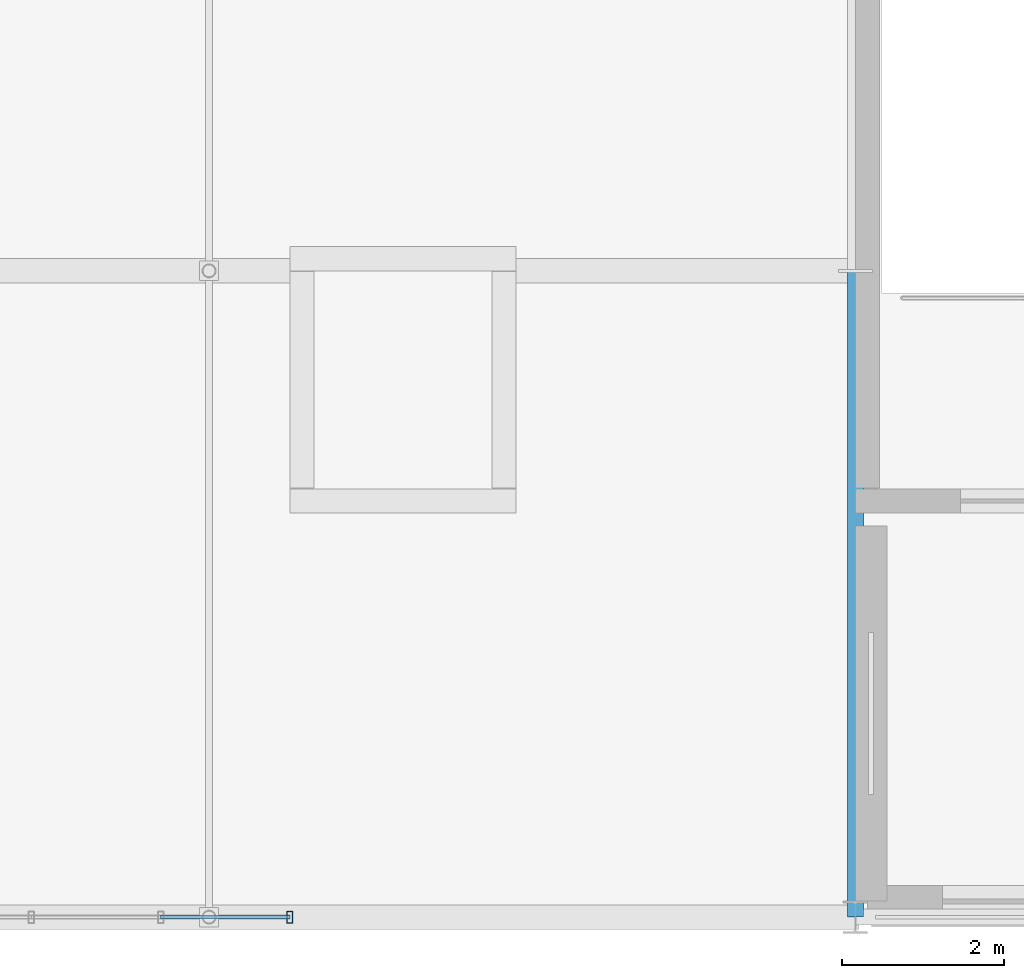
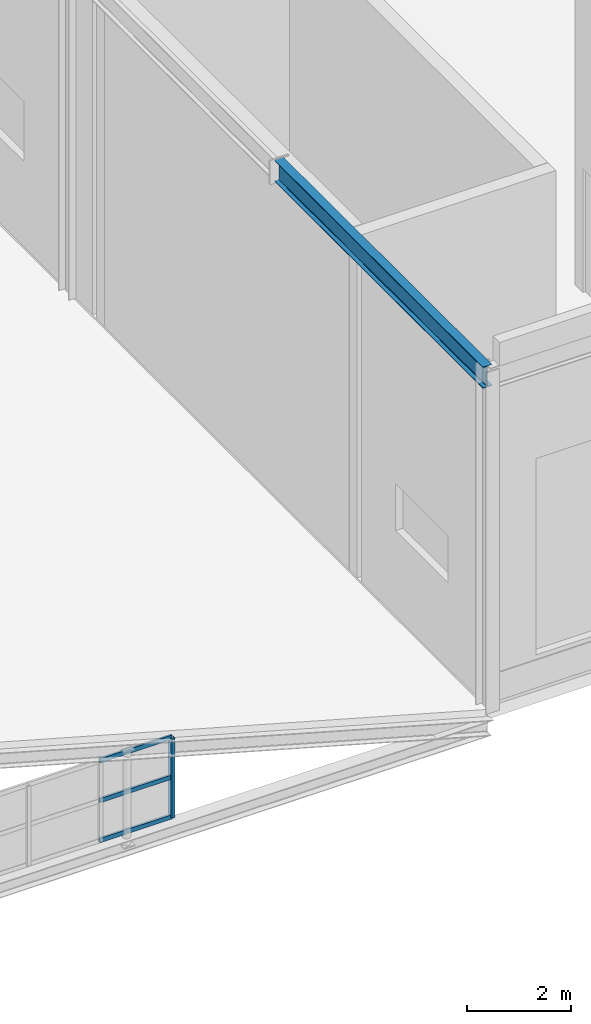
# One storey, part 23 of 49: 4 members, 1 beam, 1 element without a shape of its own.
"""IFC4 building model written with IfcOpenShell, lengths in metres."""

from ifc_helpers import new_model, si_unit, direction, frame, origin, origin_2d, place, context, subcontext, project, spatial, hollow_rectangle, i_section, extrude, material, material_profile, profile_set, type_object, element, aggregate, save


model = new_model("IFC4")

# Units and contexts
model_context = context("Model", 3, precision=1e-05, world=origin(), true_north=direction((0.0, 1.0)))
body_context = subcontext(model_context, "Body", "Model", "MODEL_VIEW")
ifc_project = project(units=[si_unit("LENGTHUNIT", "METRE"), si_unit("AREAUNIT", "SQUARE_METRE"), si_unit("VOLUMEUNIT", "CUBIC_METRE"), si_unit("PLANEANGLEUNIT", "RADIAN"), si_unit("MASSUNIT", "GRAM", prefix="KILO")], contexts=[model_context])

# Site, building, storey
site_placement = place(None, origin())
site = spatial("IfcSite", under=ifc_project, at=site_placement, CompositionType="ELEMENT")
building_placement = place(site_placement, origin())
building = spatial("IfcBuilding", under=site, at=building_placement, Name="Sundkrona Museum", CompositionType="ELEMENT")
storey_placement = place(building_placement, frame((0.0, 0.0, 26.0)))
storey = spatial("IfcBuildingStorey", under=building, at=storey_placement, Name="L05", CompositionType="ELEMENT", Elevation=26.0)

# Curtain wall, member
ifc_material_1 = material(Name="Unitised Aluminium-Steel and Ceramic-Clad Curtain Walling", Category="steel")
curtain_wall_type = type_object("IfcCurtainWallType", Name="CW-SW-240x13", PredefinedType="NOTDEFINED", material=ifc_material_1)
curtain_wall_placement = place(storey_placement, origin())
curtain_wall = element("IfcCurtainWall", 1, at=curtain_wall_placement, inside=storey, type_object=curtain_wall_type, Name="Atrium S Glazed Gable Tympanum 4", PredefinedType="NOTDEFINED")
ifc_material_2 = material(Name="Aluminium EN AW-6060 T66", Category="aluminium")
ifc_material_profile_1 = material_profile(ifc_material_2, hollow_rectangle(XDim=0.074951171875, YDim=0.14990234375, WallThickness=0.00634765625, at=origin_2d()), Name="RHS 150x75x6.3")
ifc_profile_set_1 = profile_set([ifc_material_profile_1], Name="Aluminium EN AW-6060 T66")
member_type_1 = type_object("IfcMemberType", Name="ML-150", PredefinedType="MULLION", material=ifc_profile_set_1)
member_1_placement = place(storey_placement, frame((113.0, 0.0, -0.10009765625), z_axis=(0.0, 0.0, 1.0), x_axis=(1.0, 0.0, 0.0)))
member_1 = element("IfcMember", 2, at=member_1_placement, type_object=member_type_1, Name="CW-ATR-GBL-S4 Mullion 05", PredefinedType="MULLION", context=body_context, shape_type="SweptSolid", body=[
    extrude(hollow_rectangle(XDim=0.074951171875, YDim=0.14990234375, WallThickness=0.00634765625, at=origin_2d()), origin(), (0.0, 0.0, 1.0), 1.864013671875),
])

# Beam
ifc_material_3 = material(Name="Steel S355J2", Category="steel")
ifc_material_profile_2 = material_profile(ifc_material_3, i_section(OverallWidth=0.199951171875, OverallDepth=0.5, WebThickness=0.01025390625, FlangeThickness=0.01611328125, FilletRadius=0.02099609375, at=origin_2d()), Name="IPE 500")
ifc_profile_set_2 = profile_set([ifc_material_profile_2], Name="Steel S355J2")
beam_type = type_object("IfcBeamType", Name="SP-IPE500", PredefinedType="SPANDREL", material=ifc_profile_set_2)
beam_placement = place(storey_placement, frame((120.0, 0.0, 7.75), z_axis=(0.0, 1.0, 0.0), x_axis=(-1.0, 0.0, 0.0)))
element("IfcBeam", 3, at=beam_placement, inside=storey, type_object=beam_type, Name="L05 Roof Ring Girder Y-1786", PredefinedType="SPANDREL", context=body_context, shape_type="SweptSolid", body=[
    extrude(i_section(OverallWidth=0.199951171875, OverallDepth=0.5, WebThickness=0.01025390625, FlangeThickness=0.01611328125, FilletRadius=0.02099609375, at=origin_2d()), origin(), (0.0, 0.0, 1.0), 8.0),
])

# Member
ifc_material_profile_3 = material_profile(ifc_material_2, hollow_rectangle(XDim=0.050048828125, YDim=0.10009765625, WallThickness=0.0048828125, at=origin_2d()), Name="RHS 100x50x5.0")
ifc_profile_set_3 = profile_set([ifc_material_profile_3], Name="Aluminium EN AW-6060 T66")
member_type_2 = type_object("IfcMemberType", Name="TR-100", PredefinedType="USERDEFINED", material=ifc_profile_set_3)
member_2_placement = place(storey_placement, frame((111.39990234375, 0.0, -0.10009765625), z_axis=(1.0, 0.0, 0.0), x_axis=(0.0, 1.0, 0.0)))
member_2 = element("IfcMember", 4, at=member_2_placement, type_object=member_type_2, Name="CW-ATR-GBL-S4 Transom 10", ObjectType="TRANSOM", PredefinedType="USERDEFINED", context=body_context, shape_type="SweptSolid", body=[
    extrude(hollow_rectangle(XDim=0.050048828125, YDim=0.10009765625, WallThickness=0.0048828125, at=origin_2d()), origin(), (0.0, 0.0, 1.0), 1.60009765625),
])

member_3_placement = place(storey_placement, frame((111.39990234375, 0.0, 0.83203125), z_axis=(1.0, 0.0, 0.0), x_axis=(0.0, 1.0, 0.0)))
member_3 = element("IfcMember", 5, at=member_3_placement, type_object=member_type_2, Name="CW-ATR-GBL-S4 Transom 11", ObjectType="TRANSOM", PredefinedType="USERDEFINED", context=body_context, shape_type="SweptSolid", body=[
    extrude(hollow_rectangle(XDim=0.050048828125, YDim=0.10009765625, WallThickness=0.0048828125, at=origin_2d()), origin(), (0.0, 0.0, 1.0), 1.60009765625),
])

member_4_placement = place(storey_placement, frame((111.39990234375, 0.0, 1.763916015625), z_axis=(1.0, 0.0, 0.0), x_axis=(0.0, 1.0, 0.0)))
member_4 = element("IfcMember", 6, at=member_4_placement, type_object=member_type_2, Name="CW-ATR-GBL-S4 Transom 12", ObjectType="TRANSOM", PredefinedType="USERDEFINED", context=body_context, shape_type="SweptSolid", body=[
    extrude(hollow_rectangle(XDim=0.050048828125, YDim=0.10009765625, WallThickness=0.0048828125, at=origin_2d()), origin(), (0.0, 0.0, 1.0), 1.60009765625),
])

aggregate(curtain_wall, [member_1, member_2, member_3, member_4])

save(model, "model.ifc")
